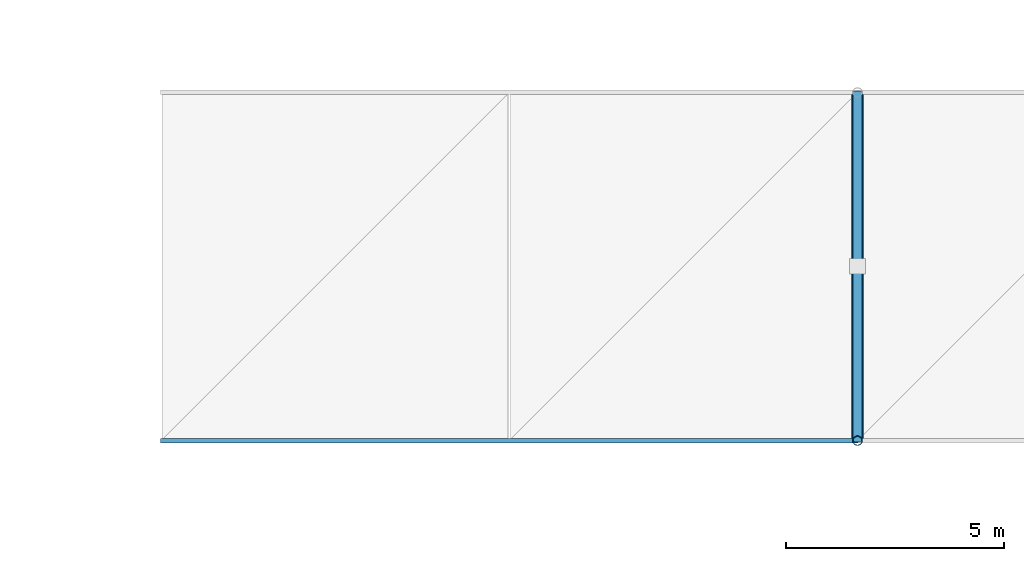
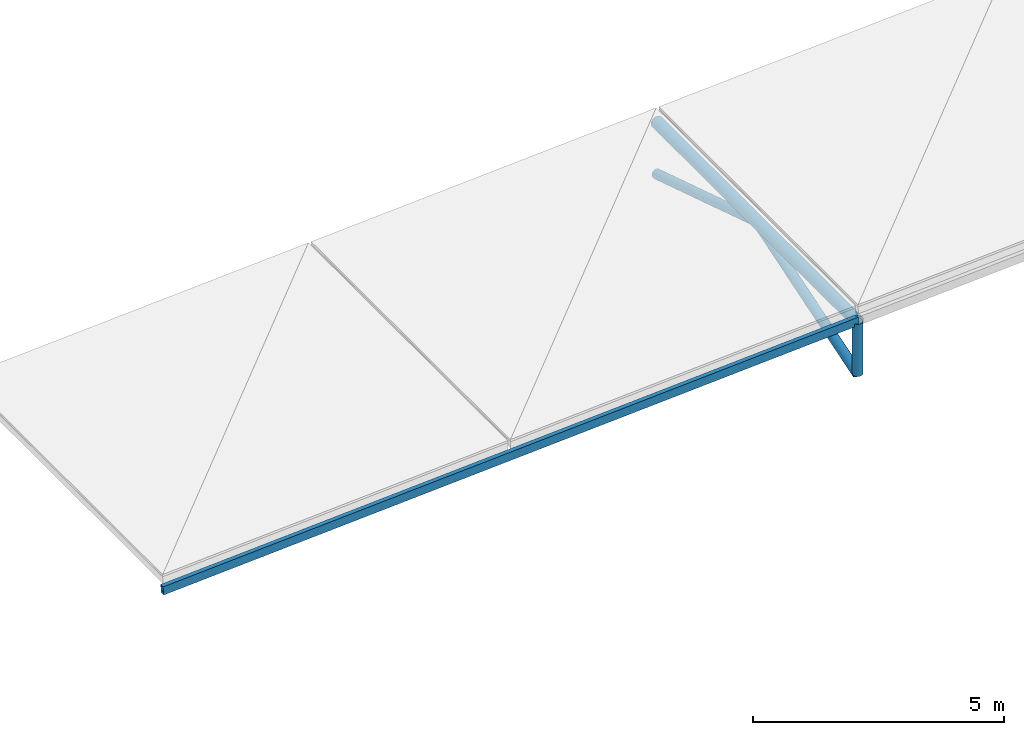
# One storey, part 6 of 27: 5 members.
"""IFC4 building model written with IfcOpenShell, lengths in metres."""

from ifc_helpers import new_model, si_unit, direction, frame, origin, origin_2d, place, context, subcontext, project, spatial, hollow_rectangle, hollow_circle, extrude, material, material_profile, profile_set, type_object, element, save


model = new_model("IFC4")

# Units and contexts
model_context = context("Model", 3, precision=1e-05, world=origin(), true_north=direction((0.0, 1.0)))
body_context = subcontext(model_context, "Body", "Model", "MODEL_VIEW")
ifc_project = project(units=[si_unit("LENGTHUNIT", "METRE"), si_unit("AREAUNIT", "SQUARE_METRE"), si_unit("VOLUMEUNIT", "CUBIC_METRE"), si_unit("PLANEANGLEUNIT", "RADIAN"), si_unit("MASSUNIT", "GRAM", prefix="KILO")], contexts=[model_context])

# Site, building, storey
site_placement = place(None, origin())
site = spatial("IfcSite", under=ifc_project, at=site_placement, CompositionType="ELEMENT")
building_placement = place(site_placement, origin())
building = spatial("IfcBuilding", under=site, at=building_placement, Name="Drelvath Fold Interchange", CompositionType="ELEMENT")
storey_placement = place(building_placement, frame((0.0, 0.0, 19.800048828125)))
storey = spatial("IfcBuildingStorey", under=building, at=storey_placement, Name="L04", CompositionType="ELEMENT", Elevation=19.800048828125)

# Members
ifc_material = material(Name="Steel ASTM A500 Grade C", Category="steel")
ifc_material_profile_1 = material_profile(ifc_material, hollow_rectangle(XDim=0.10205078125, YDim=0.202880859375, WallThickness=0.00732421875, at=origin_2d()), Name="HSS8X4X5/16")
ifc_profile_set_1 = profile_set([ifc_material_profile_1], Name="Steel ASTM A500 Grade C")
member_type_1 = type_object("IfcMemberType", Name="PR-HSS203", PredefinedType="PURLIN", material=ifc_profile_set_1)
member_1_placement = place(storey_placement, frame((68.0, 43.0, -0.318115234375), z_axis=(0.998196786761, 0.0, 0.06002645167), x_axis=(0.0, 1.0, 0.0)))
element("IfcMember", 1, at=member_1_placement, inside=storey, type_object=member_type_1, Name="L04 Space frame canopy purlin PR-HSS203", PredefinedType="PURLIN", context=body_context, shape_type="SweptSolid", body=[
    extrude(hollow_rectangle(XDim=0.10205078125, YDim=0.202880859375, WallThickness=0.00732421875, at=origin_2d()), origin(), (0.0, 0.0, 1.0), 16.02880859375),
])
ifc_material_profile_2 = material_profile(ifc_material, hollow_circle(Radius=0.136474609375, WallThickness=0.01171875, at=origin_2d()), Name="HSS10.750X0.500")
ifc_profile_set_2 = profile_set([ifc_material_profile_2], Name="Steel ASTM A500 Grade C")
member_type_2 = type_object("IfcMemberType", Name="SF-CHD273", PredefinedType="CHORD", material=ifc_profile_set_2)
member_2_placement = place(storey_placement, frame((84.0, 43.0, 0.612060546875), z_axis=(0.0, 1.0, 0.0), x_axis=(-1.0, 0.0, 0.0)))
element("IfcMember", 2, at=member_2_placement, inside=storey, type_object=member_type_2, Name="L04 Space frame roof truss upper chord SF-CHD273", PredefinedType="CHORD", context=body_context, shape_type="SweptSolid", body=[
    extrude(hollow_circle(Radius=0.136474609375, WallThickness=0.01171875, at=origin_2d()), origin(), (0.0, 0.0, 1.0), 8.0),
])
ifc_material_profile_3 = material_profile(ifc_material, hollow_circle(Radius=0.109619140625, WallThickness=0.0087890625, at=origin_2d()), Name="HSS8.625X0.375")
ifc_profile_set_3 = profile_set([ifc_material_profile_3], Name="Steel ASTM A500 Grade C")
member_type_3 = type_object("IfcMemberType", Name="SF-WEB219", PredefinedType="BRACE", material=ifc_profile_set_3)
for number, where, z_axis, x_axis, name in (
    (3, (84.0, 43.0, -0.657958984375), (0.0, 0.953112016541, 0.302617719119), (-1.0, 0.0, 0.0), "L04 Space frame roof truss web brace SF-WEB219"),
    (4, (84.0, 47.0, 0.612060546875), (0.0, 0.953112016541, -0.302617719119), (-1.0, 0.0, 0.0), "L04 Space frame roof truss web brace SF-WEB219"),
):
    element("IfcMember", number, at=place(storey_placement, frame(where, z_axis=z_axis, x_axis=x_axis)), inside=storey, type_object=member_type_3, Name=name, PredefinedType="BRACE", context=body_context, shape_type="SweptSolid", body=[
        extrude(hollow_circle(Radius=0.109619140625, WallThickness=0.0087890625, at=origin_2d()), origin(), (0.0, 0.0, 1.0), 4.19677734375),
    ])
member_3_placement = place(storey_placement, frame((84.0, 43.0, -0.657958984375), z_axis=(0.0, 0.0, 1.0), x_axis=(1.0, 0.0, 0.0)))
element("IfcMember", 5, at=member_3_placement, inside=storey, type_object=member_type_3, Name="L04 Space frame roof truss web brace SF-WEB219", PredefinedType="BRACE", context=body_context, shape_type="SweptSolid", body=[
    extrude(hollow_circle(Radius=0.109619140625, WallThickness=0.0087890625, at=origin_2d()), origin(), (0.0, 0.0, 1.0), 1.27001953125),
])

save(model, "model.ifc")
